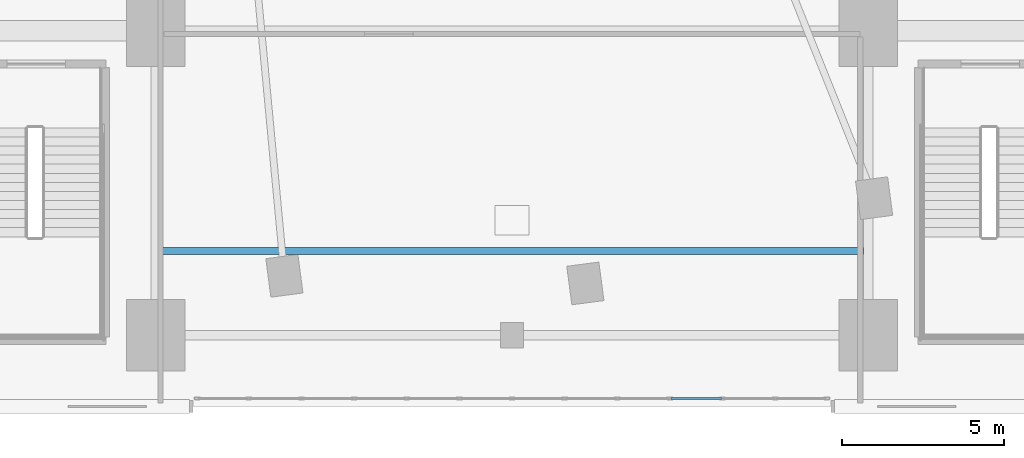
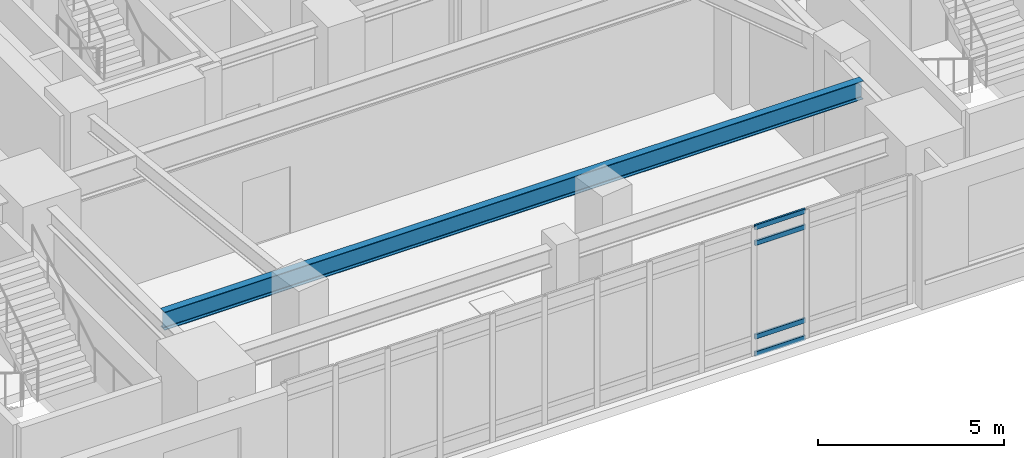
# One storey, part 5 of 19: 4 members, 1 beam, 1 element without a shape of its own.
"""IFC4 building model written with IfcOpenShell, lengths in metres."""

from ifc_helpers import new_model, si_unit, direction, frame, origin, origin_2d, place, context, subcontext, project, spatial, hollow_rectangle, i_section, extrude, material, layer, layer_set, material_profile, profile_set, type_object, element, aggregate, save


model = new_model("IFC4")

# Units and contexts
model_context = context("Model", 3, precision=1e-05, world=origin(), true_north=direction((0.0, 1.0)))
body_context = subcontext(model_context, "Body", "Model", "MODEL_VIEW")
ifc_project = project(units=[si_unit("LENGTHUNIT", "METRE"), si_unit("AREAUNIT", "SQUARE_METRE"), si_unit("VOLUMEUNIT", "CUBIC_METRE"), si_unit("PLANEANGLEUNIT", "RADIAN"), si_unit("MASSUNIT", "GRAM", prefix="KILO")], contexts=[model_context])

# Site, building, storey
site_placement = place(None, origin())
site = spatial("IfcSite", under=ifc_project, at=site_placement, CompositionType="ELEMENT")
building_placement = place(site_placement, origin())
building = spatial("IfcBuilding", under=site, at=building_placement, Name="Ndelora Gate Hotel", CompositionType="ELEMENT")
storey_placement = place(building_placement, frame((0.0, 0.0, 21.5)))
storey = spatial("IfcBuildingStorey", under=building, at=storey_placement, Name="L04", CompositionType="ELEMENT", Elevation=21.5)

# Beam
ifc_material_1 = material(Name="Steel S355", Category="steel")
ifc_material_profile_1 = material_profile(ifc_material_1, i_section(OverallWidth=0.219970703125, OverallDepth=0.60009765625, WebThickness=0.011962890625, FlangeThickness=0.01904296875, FilletRadius=0.02392578125, at=origin_2d()), Name="IPE 600")
ifc_profile_set_1 = profile_set([ifc_material_profile_1], Name="Steel S355")
beam_type = type_object("IfcBeamType", Name="BM-RAD-600", PredefinedType="BEAM", material=ifc_profile_set_1)
beam_placement = place(storey_placement, frame((-10.85009765625, -16.199951171875, 3.919921875), z_axis=(1.0, 0.0, 0.0), x_axis=(0.0, 1.0, 0.0)))
element("IfcBeam", 1, at=beam_placement, inside=storey, type_object=beam_type, Name="L04 Podium Composite Secondary Joist 3", PredefinedType="BEAM", context=body_context, shape_type="SweptSolid", body=[
    extrude(i_section(OverallWidth=0.219970703125, OverallDepth=0.60009765625, WebThickness=0.011962890625, FlangeThickness=0.01904296875, FilletRadius=0.02392578125, at=origin_2d()), origin(), (0.0, 0.0, 1.0), 21.7001953125),
])

# Curtain wall, members
ifc_material_2 = material(Name="Bronze Anodised Unitised Aluminium and Low-E Glass", Category="aluminium")
ifc_layer = layer(ifc_material_2, 0.219970703125)
ifc_layer_set = layer_set([ifc_layer], Name="Bronze Anodised Unitised Aluminium and Low-E Glass")
curtain_wall_type = type_object("IfcCurtainWallType", Name="CW-SYS-2", PredefinedType="NOTDEFINED", material=ifc_layer_set)
curtain_wall_placement = place(storey_placement, origin())
curtain_wall = element("IfcCurtainWall", 2, at=curtain_wall_placement, inside=storey, type_object=curtain_wall_type, Name="L04 South Podium Foyer Curtain Wall CW2", PredefinedType="NOTDEFINED")
ifc_material_3 = material(Name="Bronze Anodised Aluminium 6063-T6", Category="aluminium")
ifc_material_profile_2 = material_profile(ifc_material_3, hollow_rectangle(XDim=0.06494140625, YDim=0.159912109375, WallThickness=0.00390625, InnerFilletRadius=0.00390625, OuterFilletRadius=0.008056640625, at=origin_2d()), Name="ALU 160x65x4")
ifc_profile_set_2 = profile_set([ifc_material_profile_2], Name="Bronze Anodised Aluminium 6063-T6")
member_type = type_object("IfcMemberType", Name="MB-CW-TRN150", PredefinedType="USERDEFINED", material=ifc_profile_set_2)
member_1_placement = place(storey_placement, frame((4.904052734375, -20.75, 0.032470703125), z_axis=(1.0, 0.0, 0.0), x_axis=(0.0, 1.0, 0.0)))
member_1 = element("IfcMember", 3, at=member_1_placement, type_object=member_type, Name="CW2 transom 10.1", ObjectType="TRANSOM", PredefinedType="USERDEFINED", context=body_context, shape_type="SweptSolid", body=[
    extrude(hollow_rectangle(XDim=0.06494140625, YDim=0.159912109375, WallThickness=0.00390625, InnerFilletRadius=0.00390625, OuterFilletRadius=0.008056640625, at=origin_2d()), origin(), (0.0, 0.0, 1.0), 1.56689453125),
])
member_2_placement = place(storey_placement, frame((4.904052734375, -20.75, 0.60009765625), z_axis=(1.0, 0.0, 0.0), x_axis=(0.0, 1.0, 0.0)))
member_2 = element("IfcMember", 4, at=member_2_placement, type_object=member_type, Name="CW2 transom 10.2", ObjectType="TRANSOM", PredefinedType="USERDEFINED", context=body_context, shape_type="SweptSolid", body=[
    extrude(hollow_rectangle(XDim=0.06494140625, YDim=0.159912109375, WallThickness=0.00390625, InnerFilletRadius=0.00390625, OuterFilletRadius=0.008056640625, at=origin_2d()), origin(), (0.0, 0.0, 1.0), 1.56689453125),
])
member_3_placement = place(storey_placement, frame((4.904052734375, -20.75, 3.669921875), z_axis=(1.0, 0.0, 0.0), x_axis=(0.0, 1.0, 0.0)))
member_3 = element("IfcMember", 5, at=member_3_placement, type_object=member_type, Name="CW2 transom 10.3", ObjectType="TRANSOM", PredefinedType="USERDEFINED", context=body_context, shape_type="SweptSolid", body=[
    extrude(hollow_rectangle(XDim=0.06494140625, YDim=0.159912109375, WallThickness=0.00390625, InnerFilletRadius=0.00390625, OuterFilletRadius=0.008056640625, at=origin_2d()), origin(), (0.0, 0.0, 1.0), 1.56689453125),
])
member_4_placement = place(storey_placement, frame((4.904052734375, -20.75, 4.1875), z_axis=(1.0, 0.0, 0.0), x_axis=(0.0, 1.0, 0.0)))
member_4 = element("IfcMember", 6, at=member_4_placement, type_object=member_type, Name="CW2 transom 10.4", ObjectType="TRANSOM", PredefinedType="USERDEFINED", context=body_context, shape_type="SweptSolid", body=[
    extrude(hollow_rectangle(XDim=0.06494140625, YDim=0.159912109375, WallThickness=0.00390625, InnerFilletRadius=0.00390625, OuterFilletRadius=0.008056640625, at=origin_2d()), origin(), (0.0, 0.0, 1.0), 1.56689453125),
])
aggregate(curtain_wall, [member_1, member_2, member_3, member_4])

save(model, "model.ifc")
